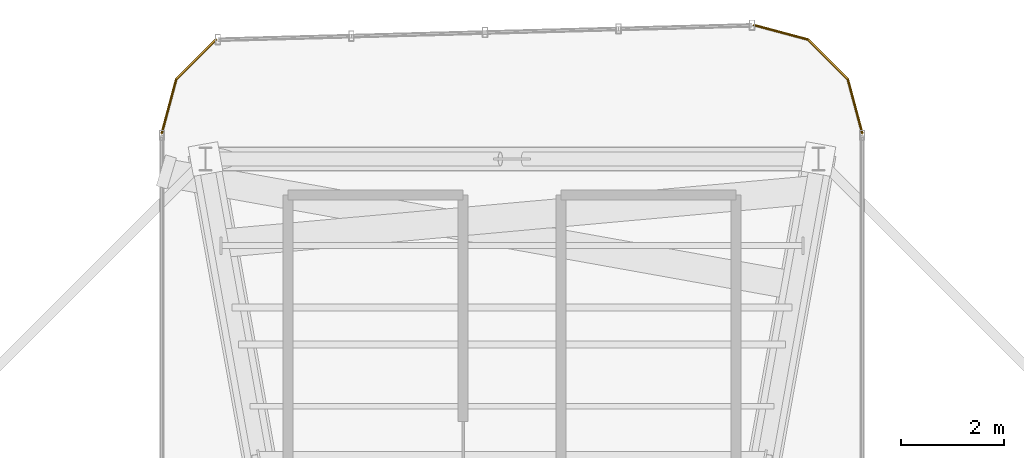
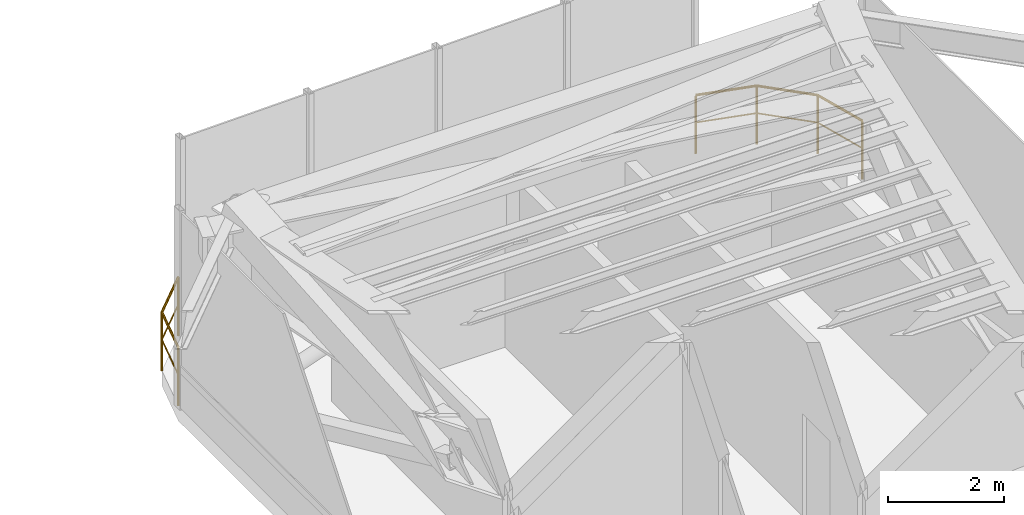
# One storey, part 18 of 18: 5 railings.
"""IFC4 building model written with IfcOpenShell, lengths in metres."""

from ifc_helpers import new_model, si_unit, direction, frame, origin, origin_2d, place, context, subcontext, project, spatial, circle, extrude, material, type_object, element, save


model = new_model("IFC4")

# Units and contexts
model_context = context("Model", 3, precision=1e-05, world=origin(), true_north=direction((0.0, 1.0)))
body_context = subcontext(model_context, "Body", "Model", "MODEL_VIEW")
ifc_project = project(units=[si_unit("LENGTHUNIT", "METRE"), si_unit("AREAUNIT", "SQUARE_METRE"), si_unit("VOLUMEUNIT", "CUBIC_METRE"), si_unit("PLANEANGLEUNIT", "RADIAN"), si_unit("MASSUNIT", "GRAM", prefix="KILO")], contexts=[model_context])

# Site, building, storey
site_placement = place(None, origin())
site = spatial("IfcSite", under=ifc_project, at=site_placement, CompositionType="ELEMENT")
building_placement = place(site_placement, origin())
building = spatial("IfcBuilding", under=site, at=building_placement, Name="Sahyath Konkavel Grand Hotel", CompositionType="ELEMENT")
storey_placement = place(building_placement, frame((0.0, 0.0, 74.5)))
storey = spatial("IfcBuildingStorey", under=building, at=storey_placement, Name="L20", CompositionType="ELEMENT", Elevation=74.5)

# Railings
ifc_material = material(Name="Warm Buff Sandstone & Bronze Balustrade", Category="masonry")
railing_type = type_object("IfcRailingType", Name="RLG-TERR-1250", PredefinedType="BALUSTRADE", material=ifc_material)
railing_1_placement = place(storey_placement, frame((6.800048828125, 22.699951171875, 0.0)))
element("IfcRailing", 1, at=railing_1_placement, inside=storey, type_object=railing_type, Name="L20 Fire Refuge Perimeter Guard 9", PredefinedType="BALUSTRADE", context=body_context, shape_type="SweptSolid", body=[
    extrude(circle(Radius=0.02392578125, at=origin_2d()), frame((-0.00048828125, 0.001953125, 1.22607421875), z_axis=(-0.25872485917, 0.965951058412, 0.0), x_axis=(-0.965951058412, -0.25872485917, 0.0)), (0.0, 0.0, 1.0), 1.0830078125),
    extrude(circle(Radius=0.01416015625, at=origin_2d()), frame((-0.00048828125, 0.001953125, 0.64990234375), z_axis=(-0.25872485917, 0.965951058412, 0.0), x_axis=(-0.965951058412, -0.25872485917, 0.0)), (0.0, 0.0, 1.0), 1.0830078125),
    extrude(circle(Radius=0.02099609375, at=origin_2d()), origin(), (0.0, 0.0, 1.0), 1.201904296875),
    extrude(circle(Radius=0.02099609375, at=origin_2d()), frame((-0.28125, 1.050048828125, 0.0)), (0.0, 0.0, 1.0), 1.201904296875),
])
railing_2_placement = place(storey_placement, frame((6.518798828125, 23.75, 0.0)))
element("IfcRailing", 2, at=railing_2_placement, inside=storey, type_object=railing_type, Name="L20 Fire Refuge Perimeter Guard 10", PredefinedType="BALUSTRADE", context=body_context, shape_type="SweptSolid", body=[
    extrude(circle(Radius=0.02392578125, at=origin_2d()), frame((-0.00146484375, 0.00146484375, 1.22607421875), z_axis=(-0.707106781187, 0.707106781187, 0.0), x_axis=(-0.707106781187, -0.707106781187, 0.0)), (0.0, 0.0, 1.0), 1.083251953125),
    extrude(circle(Radius=0.01416015625, at=origin_2d()), frame((-0.00146484375, 0.00146484375, 0.64990234375), z_axis=(-0.707106781187, 0.707106781187, 0.0), x_axis=(-0.707106781187, -0.707106781187, 0.0)), (0.0, 0.0, 1.0), 1.083251953125),
    extrude(circle(Radius=0.02099609375, at=origin_2d()), origin(), (0.0, 0.0, 1.0), 1.201904296875),
    extrude(circle(Radius=0.02099609375, at=origin_2d()), frame((-0.768798828125, 0.768798828125, 0.0)), (0.0, 0.0, 1.0), 1.201904296875),
])
railing_3_placement = place(storey_placement, frame((5.75, 24.518798828125, 0.0)))
element("IfcRailing", 3, at=railing_3_placement, inside=storey, type_object=railing_type, Name="L20 Fire Refuge Perimeter Guard 11", PredefinedType="BALUSTRADE", context=body_context, shape_type="SweptSolid", body=[
    extrude(circle(Radius=0.02392578125, at=origin_2d()), frame((-0.001953125, 0.00048828125, 1.22607421875), z_axis=(-0.965951058412, 0.25872485917, 0.0), x_axis=(-0.25872485917, -0.965951058412, 0.0)), (0.0, 0.0, 1.0), 1.0830078125),
    extrude(circle(Radius=0.01416015625, at=origin_2d()), frame((-0.001953125, 0.00048828125, 0.64990234375), z_axis=(-0.965951058412, 0.25872485917, 0.0), x_axis=(-0.25872485917, -0.965951058412, 0.0)), (0.0, 0.0, 1.0), 1.0830078125),
    extrude(circle(Radius=0.02099609375, at=origin_2d()), origin(), (0.0, 0.0, 1.0), 1.201904296875),
    extrude(circle(Radius=0.02099609375, at=origin_2d()), frame((-1.050048828125, 0.28125, 0.0)), (0.0, 0.0, 1.0), 1.201904296875),
])
railing_4_placement = place(storey_placement, frame((-5.75, 24.518798828125, 0.0)))
element("IfcRailing", 4, at=railing_4_placement, inside=storey, type_object=railing_type, Name="L20 Fire Refuge Perimeter Guard 13", PredefinedType="BALUSTRADE", context=body_context, shape_type="SweptSolid", body=[
    extrude(circle(Radius=0.02392578125, at=origin_2d()), frame((-0.00146484375, -0.00146484375, 1.22607421875), z_axis=(-0.707106781187, -0.707106781187, 0.0), x_axis=(0.707106781187, -0.707106781187, 0.0)), (0.0, 0.0, 1.0), 1.083251953125),
    extrude(circle(Radius=0.01416015625, at=origin_2d()), frame((-0.00146484375, -0.00146484375, 0.64990234375), z_axis=(-0.707106781187, -0.707106781187, 0.0), x_axis=(0.707106781187, -0.707106781187, 0.0)), (0.0, 0.0, 1.0), 1.083251953125),
    extrude(circle(Radius=0.02099609375, at=origin_2d()), origin(), (0.0, 0.0, 1.0), 1.201904296875),
    extrude(circle(Radius=0.02099609375, at=origin_2d()), frame((-0.768798828125, -0.768798828125, 0.0)), (0.0, 0.0, 1.0), 1.201904296875),
])
railing_5_placement = place(storey_placement, frame((-6.518798828125, 23.75, 0.0)))
element("IfcRailing", 5, at=railing_5_placement, inside=storey, type_object=railing_type, Name="L20 Fire Refuge Perimeter Guard 14", PredefinedType="BALUSTRADE", context=body_context, shape_type="SweptSolid", body=[
    extrude(circle(Radius=0.02392578125, at=origin_2d()), frame((-0.00048828125, -0.001953125, 1.22607421875), z_axis=(-0.25872485917, -0.965951058412, 0.0), x_axis=(0.965951058412, -0.25872485917, 0.0)), (0.0, 0.0, 1.0), 1.0830078125),
    extrude(circle(Radius=0.01416015625, at=origin_2d()), frame((-0.00048828125, -0.001953125, 0.64990234375), z_axis=(-0.25872485917, -0.965951058412, 0.0), x_axis=(0.965951058412, -0.25872485917, 0.0)), (0.0, 0.0, 1.0), 1.0830078125),
    extrude(circle(Radius=0.02099609375, at=origin_2d()), origin(), (0.0, 0.0, 1.0), 1.201904296875),
    extrude(circle(Radius=0.02099609375, at=origin_2d()), frame((-0.28125, -1.050048828125, 0.0)), (0.0, 0.0, 1.0), 1.201904296875),
])

save(model, "model.ifc")
